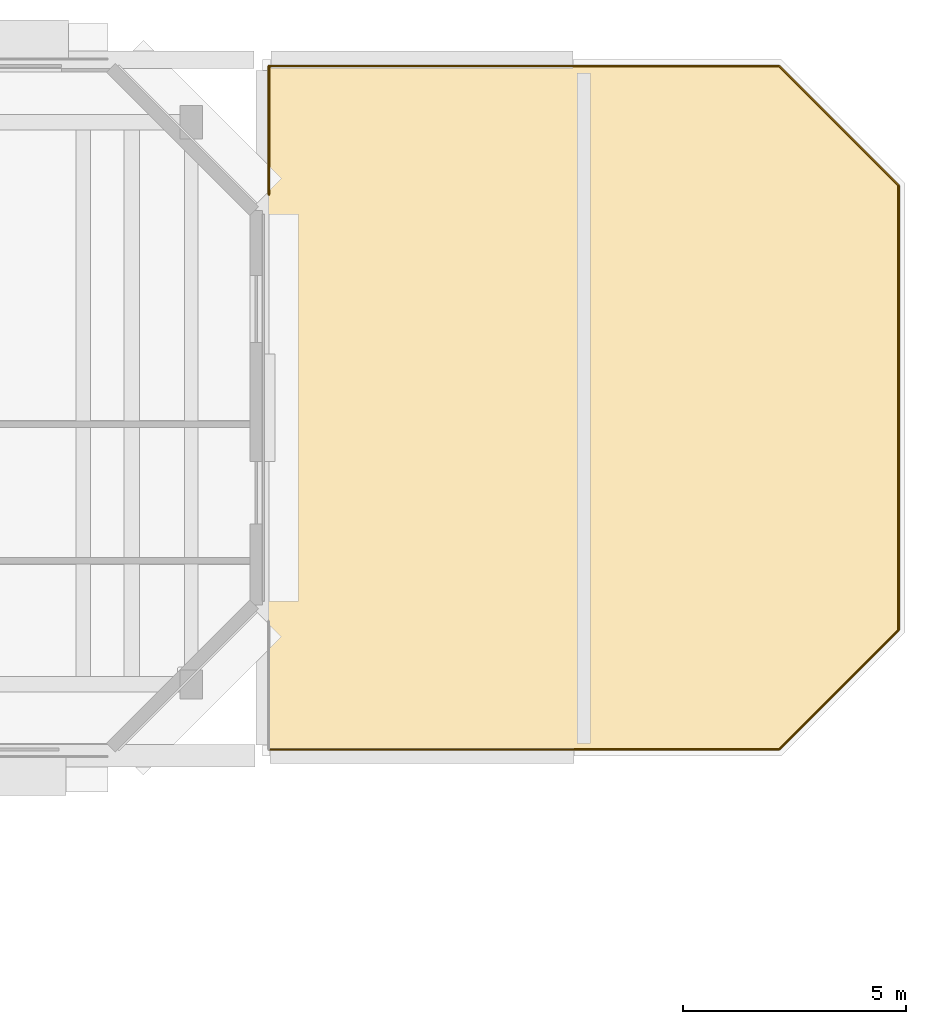
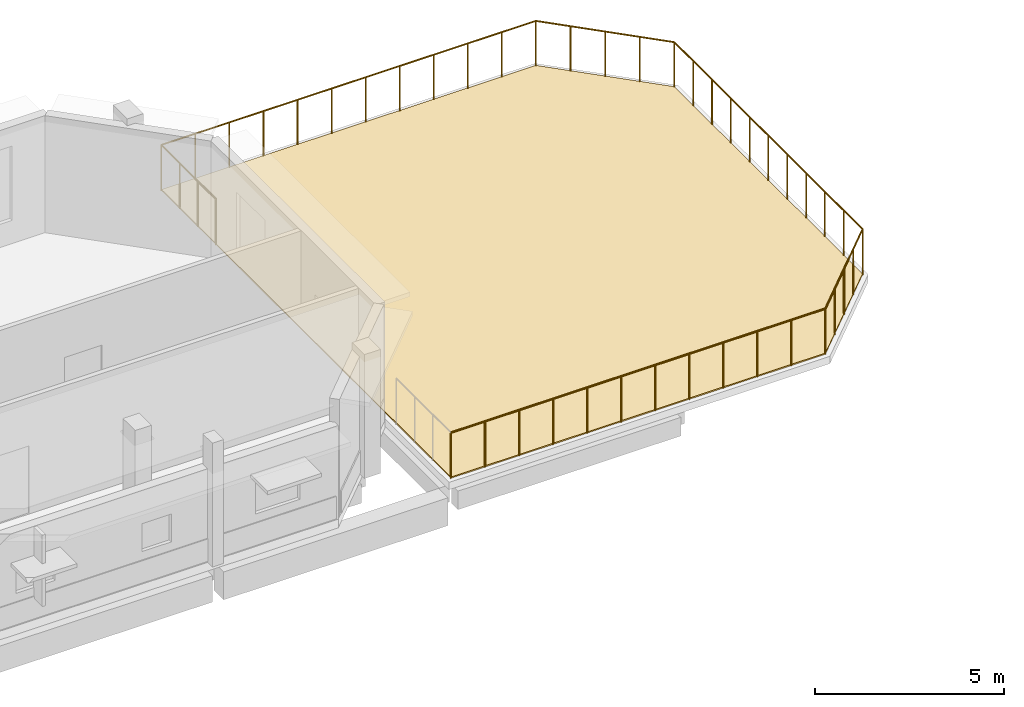
# One storey, part 78 of 78: 1 covering, 1 railing.
"""IFC4 building model written with IfcOpenShell, lengths in metres."""

from ifc_helpers import new_model, si_unit, direction, frame, origin, origin_2d, place, context, subcontext, project, spatial, polyline, circle, outline, extrude, material, layer, layer_set, type_object, element, save


model = new_model("IFC4")

# Units and contexts
model_context = context("Model", 3, precision=1e-05, world=origin(), true_north=direction((0.0, 1.0)))
body_context = subcontext(model_context, "Body", "Model", "MODEL_VIEW")
ifc_project = project(units=[si_unit("LENGTHUNIT", "METRE"), si_unit("AREAUNIT", "SQUARE_METRE"), si_unit("VOLUMEUNIT", "CUBIC_METRE"), si_unit("PLANEANGLEUNIT", "RADIAN"), si_unit("MASSUNIT", "GRAM", prefix="KILO")], contexts=[model_context])

# Site, building, storey
site_placement = place(None, origin())
site = spatial("IfcSite", under=ifc_project, at=site_placement, CompositionType="ELEMENT")
building_placement = place(site_placement, origin())
building = spatial("IfcBuilding", under=site, at=building_placement, Name="Kelanivale Promenade Academy", CompositionType="ELEMENT")
storey_placement = place(building_placement, frame((0.0, 0.0, 16.199951171875)))
storey = spatial("IfcBuildingStorey", under=building, at=storey_placement, Name="L04", CompositionType="ELEMENT", Elevation=16.199951171875)

# Covering
ifc_material_1 = material(Name="Impact-absorbing EPDM rooftop Play Deck surfacing 40 mm", Category="masonry")
ifc_layer = layer(ifc_material_1, 0.0400390625)
ifc_layer_set = layer_set([ifc_layer], Name="Impact-absorbing EPDM rooftop Play Deck surfacing 40 mm")
covering_type = type_object("IfcCoveringType", Name="COV-FLR3 Impact-absorbing EPDM rooftop Play D", PredefinedType="FLOORING", material=ifc_layer_set)
covering_placement = place(storey_placement, origin())
element("IfcCovering", 1, at=covering_placement, inside=storey, type_object=covering_type, Name="Science Mezzanine Rooftop Play Deck EPDM safety surfacing", PredefinedType="FLOORING", context=body_context, shape_type="SweptSolid", body=[
    extrude(outline(polyline([(155.97802734375, 96.5400390625), (158.659912109375, 99.221923828125), (158.659912109375, 109.177978515625), (155.97802734375, 111.860107421875), (144.5400390625, 111.860107421875), (144.5400390625, 96.5400390625), (155.97802734375, 96.5400390625)])), origin(), (0.0, 0.0, 1.0), 0.0400390625),
])

# Railing
ifc_material_2 = material(Name="Powder-coated galvanized steel and stainless top rail", Category="steel")
railing_type = type_object("IfcRailingType", Name="GR-02 Play Deck Balustrade 1500mm", PredefinedType="BALUSTRADE", material=ifc_material_2)
railing_placement = place(storey_placement, frame((144.5400390625, 108.97412109375, 0.0)))
element("IfcRailing", 2, at=railing_placement, inside=storey, type_object=railing_type, Name="Science Mezzanine Rooftop Play Deck 1500 mm safety balustrade", PredefinedType="BALUSTRADE", context=body_context, shape_type="SweptSolid", body=[
    extrude(circle(Radius=0.02392578125, at=origin_2d()), frame((0.0, 0.0, 1.47607421875), z_axis=(0.0, 1.0, 0.0), x_axis=(-1.0, 0.0, 0.0)), (0.0, 0.0, 1.0), 2.885986328125),
    extrude(circle(Radius=0.02392578125, at=origin_2d()), frame((0.0, 2.885986328125, 1.47607421875), z_axis=(1.0, 0.0, 0.0), x_axis=(0.0, 1.0, 0.0)), (0.0, 0.0, 1.0), 11.43798828125),
    extrude(circle(Radius=0.02392578125, at=origin_2d()), frame((11.43798828125, 2.885986328125, 1.47607421875), z_axis=(0.707074596813, -0.707138964095, 0.0), x_axis=(0.707138964095, 0.707074596813, 0.0)), (0.0, 0.0, 1.0), 3.79296875),
    extrude(circle(Radius=0.02392578125, at=origin_2d()), frame((14.119873046875, 0.203857421875, 1.47607421875), z_axis=(0.0, -1.0, 0.0), x_axis=(1.0, 0.0, 0.0)), (0.0, 0.0, 1.0), 9.9560546875),
    extrude(circle(Radius=0.02392578125, at=origin_2d()), frame((14.119873046875, -9.752197265625, 1.47607421875), z_axis=(-0.707106781187, -0.707106781187, 0.0), x_axis=(0.707106781187, -0.707106781187, 0.0)), (0.0, 0.0, 1.0), 3.792724609375),
    extrude(circle(Radius=0.02392578125, at=origin_2d()), frame((11.43798828125, -12.43408203125, 1.47607421875), z_axis=(-1.0, 0.0, 0.0), x_axis=(0.0, -1.0, 0.0)), (0.0, 0.0, 1.0), 11.43798828125),
    extrude(circle(Radius=0.02099609375, at=origin_2d()), origin(), (0.0, 0.0, 1.0), 1.451904296875),
    extrude(circle(Radius=0.02099609375, at=origin_2d()), frame((0.0, 0.9619140625, 0.0)), (0.0, 0.0, 1.0), 1.451904296875),
    extrude(circle(Radius=0.02099609375, at=origin_2d()), frame((0.0, 1.924072265625, 0.0)), (0.0, 0.0, 1.0), 1.451904296875),
    extrude(circle(Radius=0.02099609375, at=origin_2d()), frame((0.0, 2.885986328125, 0.0)), (0.0, 0.0, 1.0), 1.451904296875),
    extrude(circle(Radius=0.02099609375, at=origin_2d()), frame((1.039794921875, 2.885986328125, 0.0)), (0.0, 0.0, 1.0), 1.451904296875),
    extrude(circle(Radius=0.02099609375, at=origin_2d()), frame((2.07958984375, 2.885986328125, 0.0)), (0.0, 0.0, 1.0), 1.451904296875),
    extrude(circle(Radius=0.02099609375, at=origin_2d()), frame((3.119384765625, 2.885986328125, 0.0)), (0.0, 0.0, 1.0), 1.451904296875),
    extrude(circle(Radius=0.02099609375, at=origin_2d()), frame((4.1591796875, 2.885986328125, 0.0)), (0.0, 0.0, 1.0), 1.451904296875),
    extrude(circle(Radius=0.02099609375, at=origin_2d()), frame((5.198974609375, 2.885986328125, 0.0)), (0.0, 0.0, 1.0), 1.451904296875),
    extrude(circle(Radius=0.02099609375, at=origin_2d()), frame((6.239013671875, 2.885986328125, 0.0)), (0.0, 0.0, 1.0), 1.451904296875),
    extrude(circle(Radius=0.02099609375, at=origin_2d()), frame((7.27880859375, 2.885986328125, 0.0)), (0.0, 0.0, 1.0), 1.451904296875),
    extrude(circle(Radius=0.02099609375, at=origin_2d()), frame((8.318603515625, 2.885986328125, 0.0)), (0.0, 0.0, 1.0), 1.451904296875),
    extrude(circle(Radius=0.02099609375, at=origin_2d()), frame((9.3583984375, 2.885986328125, 0.0)), (0.0, 0.0, 1.0), 1.451904296875),
    extrude(circle(Radius=0.02099609375, at=origin_2d()), frame((10.398193359375, 2.885986328125, 0.0)), (0.0, 0.0, 1.0), 1.451904296875),
    extrude(circle(Radius=0.02099609375, at=origin_2d()), frame((11.43798828125, 2.885986328125, 0.0)), (0.0, 0.0, 1.0), 1.451904296875),
    extrude(circle(Radius=0.02099609375, at=origin_2d()), frame((12.1083984375, 2.21533203125, 0.0)), (0.0, 0.0, 1.0), 1.451904296875),
    extrude(circle(Radius=0.02099609375, at=origin_2d()), frame((12.77880859375, 1.544921875, 0.0)), (0.0, 0.0, 1.0), 1.451904296875),
    extrude(circle(Radius=0.02099609375, at=origin_2d()), frame((13.449462890625, 0.87451171875, 0.0)), (0.0, 0.0, 1.0), 1.451904296875),
    extrude(circle(Radius=0.02099609375, at=origin_2d()), frame((14.119873046875, 0.203857421875, 0.0)), (0.0, 0.0, 1.0), 1.451904296875),
    extrude(circle(Radius=0.02099609375, at=origin_2d()), frame((14.119873046875, -0.791748046875, 0.0)), (0.0, 0.0, 1.0), 1.451904296875),
    extrude(circle(Radius=0.02099609375, at=origin_2d()), frame((14.119873046875, -1.787353515625, 0.0)), (0.0, 0.0, 1.0), 1.451904296875),
    extrude(circle(Radius=0.02099609375, at=origin_2d()), frame((14.119873046875, -2.782958984375, 0.0)), (0.0, 0.0, 1.0), 1.451904296875),
    extrude(circle(Radius=0.02099609375, at=origin_2d()), frame((14.119873046875, -3.778564453125, 0.0)), (0.0, 0.0, 1.0), 1.451904296875),
    extrude(circle(Radius=0.02099609375, at=origin_2d()), frame((14.119873046875, -4.774169921875, 0.0)), (0.0, 0.0, 1.0), 1.451904296875),
    extrude(circle(Radius=0.02099609375, at=origin_2d()), frame((14.119873046875, -5.769775390625, 0.0)), (0.0, 0.0, 1.0), 1.451904296875),
    extrude(circle(Radius=0.02099609375, at=origin_2d()), frame((14.119873046875, -6.765380859375, 0.0)), (0.0, 0.0, 1.0), 1.451904296875),
    extrude(circle(Radius=0.02099609375, at=origin_2d()), frame((14.119873046875, -7.760986328125, 0.0)), (0.0, 0.0, 1.0), 1.451904296875),
    extrude(circle(Radius=0.02099609375, at=origin_2d()), frame((14.119873046875, -8.756591796875, 0.0)), (0.0, 0.0, 1.0), 1.451904296875),
    extrude(circle(Radius=0.02099609375, at=origin_2d()), frame((14.119873046875, -9.752197265625, 0.0)), (0.0, 0.0, 1.0), 1.451904296875),
    extrude(circle(Radius=0.02099609375, at=origin_2d()), frame((13.449462890625, -10.422607421875, 0.0)), (0.0, 0.0, 1.0), 1.451904296875),
    extrude(circle(Radius=0.02099609375, at=origin_2d()), frame((12.77880859375, -11.09326171875, 0.0)), (0.0, 0.0, 1.0), 1.451904296875),
    extrude(circle(Radius=0.02099609375, at=origin_2d()), frame((12.1083984375, -11.763671875, 0.0)), (0.0, 0.0, 1.0), 1.451904296875),
    extrude(circle(Radius=0.02099609375, at=origin_2d()), frame((11.43798828125, -12.43408203125, 0.0)), (0.0, 0.0, 1.0), 1.451904296875),
    extrude(circle(Radius=0.02099609375, at=origin_2d()), frame((10.398193359375, -12.43408203125, 0.0)), (0.0, 0.0, 1.0), 1.451904296875),
    extrude(circle(Radius=0.02099609375, at=origin_2d()), frame((9.3583984375, -12.43408203125, 0.0)), (0.0, 0.0, 1.0), 1.451904296875),
    extrude(circle(Radius=0.02099609375, at=origin_2d()), frame((8.318603515625, -12.43408203125, 0.0)), (0.0, 0.0, 1.0), 1.451904296875),
    extrude(circle(Radius=0.02099609375, at=origin_2d()), frame((7.27880859375, -12.43408203125, 0.0)), (0.0, 0.0, 1.0), 1.451904296875),
    extrude(circle(Radius=0.02099609375, at=origin_2d()), frame((6.239013671875, -12.43408203125, 0.0)), (0.0, 0.0, 1.0), 1.451904296875),
    extrude(circle(Radius=0.02099609375, at=origin_2d()), frame((5.198974609375, -12.43408203125, 0.0)), (0.0, 0.0, 1.0), 1.451904296875),
    extrude(circle(Radius=0.02099609375, at=origin_2d()), frame((4.1591796875, -12.43408203125, 0.0)), (0.0, 0.0, 1.0), 1.451904296875),
    extrude(circle(Radius=0.02099609375, at=origin_2d()), frame((3.119384765625, -12.43408203125, 0.0)), (0.0, 0.0, 1.0), 1.451904296875),
    extrude(circle(Radius=0.02099609375, at=origin_2d()), frame((2.07958984375, -12.43408203125, 0.0)), (0.0, 0.0, 1.0), 1.451904296875),
    extrude(circle(Radius=0.02099609375, at=origin_2d()), frame((1.039794921875, -12.43408203125, 0.0)), (0.0, 0.0, 1.0), 1.451904296875),
    extrude(circle(Radius=0.02099609375, at=origin_2d()), frame((0.0, -12.43408203125, 0.0)), (0.0, 0.0, 1.0), 1.451904296875),
])

save(model, "model.ifc")
